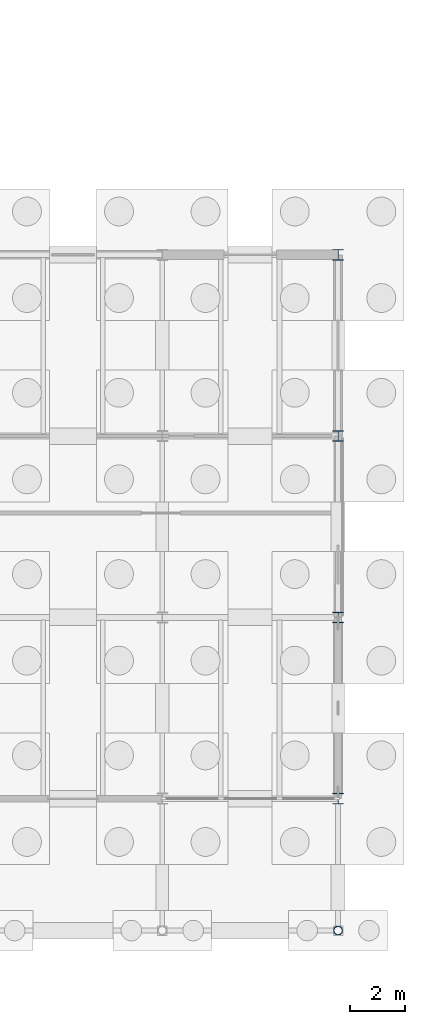
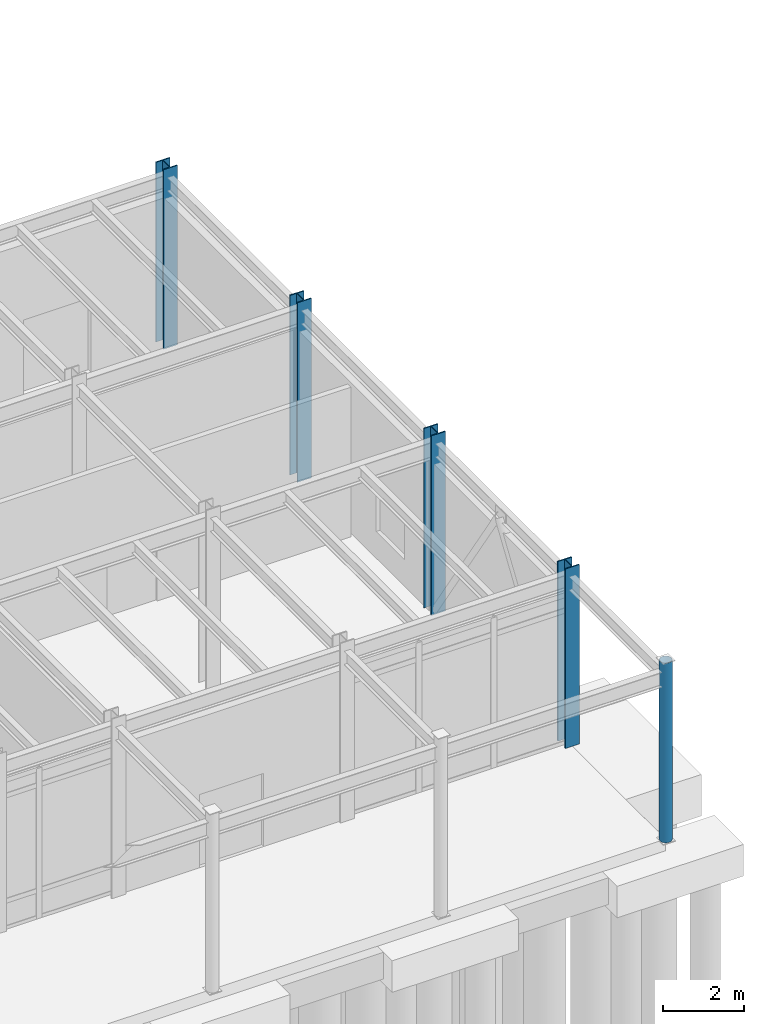
# One storey, part 26 of 82: 5 columns.
"""IFC4 building model written with IfcOpenShell, lengths in metres."""

import ifcopenshell
import ifcopenshell.guid

model = None  # the IFC model being written
_history = None  # IfcOwnerHistory: only IFC2X3 demands one
_inside = {}  # id of a spatial element -> (the spatial element, [elements in it])
_under = {}  # id of a project, library or spatial element -> (it, [spatial elements below it])
_declared = {}  # id of a project -> (the project, [libraries it declares])
_typed = {}  # id of a type object -> (the type object, [elements of that type])
_made_of = {}  # id of a material, layer set ... -> (it, [elements and type objects made of it])


def new_model(schema):
    """Start an empty IFC model of exactly this schema.

    Asked for "IFC4X3", IfcOpenShell would pick the latest addendum, in which some entities
    have other attributes; the version numbers below select the first issue.
    IFC2X3 requires an IfcOwnerHistory on every rooted entity: one is made here for all.
    """
    global model, _history
    if schema == "IFC4X3":
        model = ifcopenshell.file(schema_version=(4, 3, 0, 0))
    else:
        model = ifcopenshell.file(schema=schema)
    _inside.clear()
    _under.clear()
    _declared.clear()
    _typed.clear()
    _made_of.clear()
    _history = None
    if model.schema == "IFC2X3":
        org = make("IfcOrganization", Name="unknown")
        user = make(
            "IfcPersonAndOrganization",
            ThePerson=make("IfcPerson", FamilyName="unknown"),
            TheOrganization=org,
        )
        app = make(
            "IfcApplication",
            ApplicationDeveloper=org,
            Version="unknown",
            ApplicationFullName="unknown",
            ApplicationIdentifier="unknown",
        )
        _history = make(
            "IfcOwnerHistory",
            OwningUser=user,
            OwningApplication=app,
            ChangeAction="ADDED",
            CreationDate=0,
        )
    return model


def make(cls, **values):
    """One entity of the class cls with the attributes given. An attribute that is None is left unset."""
    return model.create_entity(
        cls, **{name: value for name, value in values.items() if value is not None}
    )


def rooted(cls, **values):
    """An entity with a GlobalId (a new one), such as an element, a storey or a relation."""
    return make(cls, GlobalId=ifcopenshell.guid.new(), OwnerHistory=_history, **values)


def si_unit(unit_type, name, prefix=None):
    """IfcSIUnit, for example si_unit("LENGTHUNIT", "METRE", prefix="MILLI")."""
    return make("IfcSIUnit", UnitType=unit_type, Prefix=prefix, Name=name)


def assignment(units):
    """IfcUnitAssignment: the units of a project."""
    return None if units is None else make("IfcUnitAssignment", Units=units)


def point(xyz):
    """IfcCartesianPoint."""
    return None if xyz is None else make("IfcCartesianPoint", Coordinates=xyz)


def direction(xyz):
    """IfcDirection."""
    return None if xyz is None else make("IfcDirection", DirectionRatios=xyz)


def frame(location, z_axis=None, x_axis=None):
    """IfcAxis2Placement3D, a coordinate frame: its origin and axes. An axis left out is left unset."""
    return make(
        "IfcAxis2Placement3D",
        Location=point(location),
        Axis=direction(z_axis),
        RefDirection=direction(x_axis),
    )


def frame_2d(location, x_axis=None):
    """IfcAxis2Placement2D, a coordinate frame in the plane: its origin and x axis."""
    return make(
        "IfcAxis2Placement2D", Location=point(location), RefDirection=direction(x_axis)
    )


def origin():
    """The frame at (0, 0, 0) with its axes left unset."""
    return frame((0.0, 0.0, 0.0))


def origin_2d():
    """The frame at (0, 0) in the plane with its x axis left unset."""
    return frame_2d((0.0, 0.0))


def place(relative_to, where):
    """IfcLocalPlacement: puts the frame where relative to a parent placement (None: the world)."""
    return make(
        "IfcLocalPlacement", PlacementRelTo=relative_to, RelativePlacement=where
    )


def context(
    kind, dimensions, precision=None, world=None, true_north=None, identifier=None
):
    """IfcGeometricRepresentationContext, for example the 3D "Model" context."""
    return make(
        "IfcGeometricRepresentationContext",
        ContextIdentifier=identifier,
        ContextType=kind,
        CoordinateSpaceDimension=dimensions,
        Precision=precision,
        WorldCoordinateSystem=world,
        TrueNorth=true_north,
    )


def subcontext(parent, identifier, kind, view, scale=None):
    """IfcGeometricRepresentationSubContext, for example "Body" below "Model"."""
    return make(
        "IfcGeometricRepresentationSubContext",
        ContextIdentifier=identifier,
        ContextType=kind,
        ParentContext=parent,
        TargetScale=scale,
        TargetView=view,
    )


def project(units=None, contexts=None):
    """IfcProject with its units and contexts."""
    return rooted(
        "IfcProject",
        Name="project",
        RepresentationContexts=contexts,
        UnitsInContext=assignment(units),
    )


def spatial(cls, under=None, at=None, **own):
    """A site, building, storey or space (cls), placed at a placement, below another one or the project."""
    s = rooted(cls, ObjectPlacement=at, **own)
    if under is not None:
        _under.setdefault(under.id(), (under, []))[1].append(s)
    return s


def profile(cls, at=None, kind="AREA", **sizes):
    """A parametric profile (cls). Its sizes go by their IFC names, for example OverallWidth=200.0."""
    return make(cls, ProfileType=kind, Position=at, **sizes)


def hollow_circle(**sizes):
    """IfcCircleHollowProfileDef."""
    return profile("IfcCircleHollowProfileDef", **sizes)


def i_section(**sizes):
    """IfcIShapeProfileDef."""
    return profile("IfcIShapeProfileDef", **sizes)


def extrude(swept, where, along, depth):
    """IfcExtrudedAreaSolid: the profile swept, set in the frame where, extruded along a direction by depth."""
    return make(
        "IfcExtrudedAreaSolid",
        SweptArea=swept,
        Position=where,
        ExtrudedDirection=direction(along),
        Depth=depth,
    )


def shape(context_of_items, identifier, shape_type, items):
    """IfcShapeRepresentation: the items that make up one representation, for example the "Body"."""
    return make(
        "IfcShapeRepresentation",
        ContextOfItems=context_of_items,
        RepresentationIdentifier=identifier,
        RepresentationType=shape_type,
        Items=items,
    )


def material(Name=None, Category=None):
    """IfcMaterial."""
    return make("IfcMaterial", Name=Name, Category=Category)


def material_profile(
    of_material, cross_section, Name=None, Category=None, Priority=None
):
    """IfcMaterialProfile: a cross section and its material."""
    return make(
        "IfcMaterialProfile",
        Name=Name,
        Material=of_material,
        Profile=cross_section,
        Priority=Priority,
        Category=Category,
    )


def profile_set(profiles, Name=None, composite=None):
    """IfcMaterialProfileSet."""
    return make(
        "IfcMaterialProfileSet",
        Name=Name,
        MaterialProfiles=profiles,
        CompositeProfile=composite,
    )


def made_of(thing, what):
    """Note that an element or type object is made of a material, layer set ...; save() writes the relation."""
    if what is not None:
        _made_of.setdefault(what.id(), (what, []))[1].append(thing)
    return thing


def type_object(cls, material=None, **own):
    """A type object (cls), such as IfcWallType, which elements share."""
    return made_of(rooted(cls, **own), material)


def element(
    cls,
    number,
    at=None,
    inside=None,
    cuts=None,
    type_object=None,
    material=None,
    context=None,
    identifier="Body",
    shape_type=None,
    held_by="IfcProductDefinitionShape",
    body=None,
    shapes=None,
    **own,
):
    """One element of the class cls, such as IfcWall. Its Tag is "e" and its number.

    at: its placement. inside: the storey or other place that contains it. cuts: it is an
    opening in that element (IfcRelVoidsElement). A single representation is given by context,
    identifier, shape_type and body (its items); several are given by shapes. held_by: the class
    of the entity that holds the representations. save() writes the other relations.
    """
    e = rooted(cls, Tag="e%d" % number, ObjectPlacement=at, **own)
    if body is not None:
        shapes = [shape(context, identifier, shape_type, body)]
    if shapes is not None:
        e.Representation = make(held_by, Representations=shapes)
    if inside is not None:
        _inside.setdefault(inside.id(), (inside, []))[1].append(e)
    if cuts is not None:
        rooted(
            "IfcRelVoidsElement", RelatingBuildingElement=cuts, RelatedOpeningElement=e
        )
    if type_object is not None:
        _typed.setdefault(type_object.id(), (type_object, []))[1].append(e)
    return made_of(e, material)


def aggregate(whole, parts):
    """IfcRelAggregates: a whole, such as a stair, and the parts it consists of."""
    return rooted("IfcRelAggregates", RelatingObject=whole, RelatedObjects=parts)


def save(model, path):
    """Write the relations noted so far, then the file.

    IfcRelAggregates (storeys below a building ...), IfcRelContainedInSpatialStructure (elements
    in a storey), IfcRelDefinesByType, IfcRelAssociatesMaterial and IfcRelDeclares: one each for
    every whole, place, type object, material and project.
    """
    for whole, parts in _under.values():
        aggregate(whole, parts)
    for where, things in _inside.values():
        rooted(
            "IfcRelContainedInSpatialStructure",
            RelatedElements=things,
            RelatingStructure=where,
        )
    for kind, things in _typed.values():
        rooted("IfcRelDefinesByType", RelatedObjects=things, RelatingType=kind)
    for what, things in _made_of.values():
        rooted("IfcRelAssociatesMaterial", RelatedObjects=things, RelatingMaterial=what)
    for by, libraries in _declared.values():
        rooted("IfcRelDeclares", RelatingContext=by, RelatedDefinitions=libraries)
    model.write(path)


model = new_model("IFC4")

# Units and contexts
model_context = context("Model", 3, precision=1e-05, world=origin(), true_north=direction((0.0, 1.0)))
body_context = subcontext(model_context, "Body", "Model", "MODEL_VIEW")
ifc_project = project(units=[si_unit("LENGTHUNIT", "METRE"), si_unit("AREAUNIT", "SQUARE_METRE"), si_unit("VOLUMEUNIT", "CUBIC_METRE"), si_unit("PLANEANGLEUNIT", "RADIAN"), si_unit("MASSUNIT", "GRAM", prefix="KILO")], contexts=[model_context])

# Site, building, storey
site_placement = place(None, origin())
site = spatial("IfcSite", under=ifc_project, at=site_placement, CompositionType="ELEMENT")
building_placement = place(site_placement, origin())
building = spatial("IfcBuilding", under=site, at=building_placement, Name="Trelmorton Wharf Fire Station", CompositionType="ELEMENT")
storey_placement = place(building_placement, origin())
storey = spatial("IfcBuildingStorey", under=building, at=storey_placement, Name="L00", CompositionType="ELEMENT", Elevation=0.0)

# Columns
ifc_material_1 = material(Name="Steel Grade 350", Category="steel")
ifc_material_profile_1 = material_profile(ifc_material_1, i_section(OverallWidth=0.39990234375, OverallDepth=0.39990234375, WebThickness=0.02001953125, FlangeThickness=0.031982421875, at=origin_2d()), Name="400WC270")
ifc_profile_set_1 = profile_set([ifc_material_profile_1], Name="Steel Grade 350")
column_type_1 = type_object("IfcColumnType", Name="COL_400WC270", PredefinedType="COLUMN", material=ifc_profile_set_1)
for number, where, z_axis, x_axis, name in (
    (1, (162.39990234375, 7.800048828125, 0.0), (0.0, 0.0, 1.0), (1.0, 0.0, 0.0), "COL-L00-0238"),
    (2, (162.39990234375, 14.39990234375, 0.0), (0.0, 0.0, 1.0), (1.0, 0.0, 0.0), "COL-L00-0239"),
    (3, (162.39990234375, 21.0, 0.0), (0.0, 0.0, 1.0), (1.0, 0.0, 0.0), "COL-L00-0240"),
    (4, (162.39990234375, 27.60009765625, 0.0), (0.0, 0.0, 1.0), (1.0, 0.0, 0.0), "COL-L00-0241"),
):
    element("IfcColumn", number, at=place(storey_placement, frame(where, z_axis=z_axis, x_axis=x_axis)), inside=storey, type_object=column_type_1, Name=name, PredefinedType="COLUMN", context=body_context, shape_type="SweptSolid", body=[
        extrude(i_section(OverallWidth=0.39990234375, OverallDepth=0.39990234375, WebThickness=0.02001953125, FlangeThickness=0.031982421875, at=origin_2d()), origin(), (0.0, 0.0, 1.0), 5.39990234375),
    ])
ifc_material_2 = material(Name="Steel C450L0 (450 MPa)", Category="steel")
ifc_material_profile_2 = material_profile(ifc_material_2, hollow_circle(Radius=0.161865234375, WallThickness=0.0126953125, at=origin_2d()), Name="323.9x12.7CHS")
ifc_profile_set_2 = profile_set([ifc_material_profile_2], Name="Steel C450L0 (450 MPa)")
column_type_2 = type_object("IfcColumnType", Name="COL_CHS324", PredefinedType="COLUMN", material=ifc_profile_set_2)
column_placement = place(storey_placement, frame((162.39990234375, 3.0, 0.0), z_axis=(0.0, 0.0, 1.0), x_axis=(1.0, 0.0, 0.0)))
element("IfcColumn", 5, at=column_placement, inside=storey, type_object=column_type_2, Name="COL-L00-0237", PredefinedType="COLUMN", context=body_context, shape_type="SweptSolid", body=[
    extrude(hollow_circle(Radius=0.161865234375, WallThickness=0.0126953125, at=origin_2d()), origin(), (0.0, 0.0, 1.0), 5.39990234375),
])

save(model, "model.ifc")
